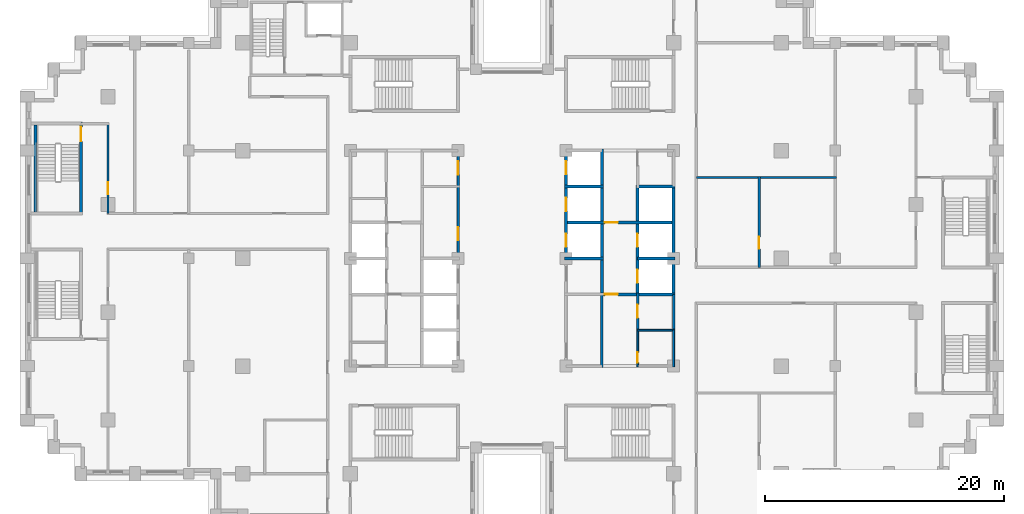
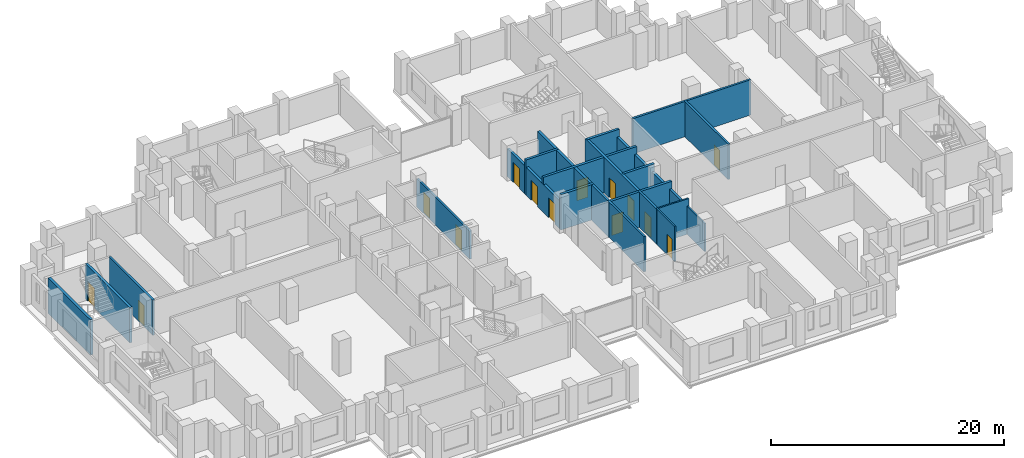
# One storey, part 9 of 16: 22 walls, 14 doors, 14 openings.
"""IFC4 building model written with IfcOpenShell, lengths in metres."""

from ifc_helpers import new_model, si_unit, direction, frame, frame_2d, origin, place, context, subcontext, project, spatial, rectangle, extrude, material, layer, layer_set, type_object, element, fill, save


model = new_model("IFC4")

# Units and contexts
model_context = context("Model", 3, precision=1e-05, world=origin(), true_north=direction((0.0, 1.0)))
body_context = subcontext(model_context, "Body", "Model", "MODEL_VIEW")
ifc_project = project(units=[si_unit("LENGTHUNIT", "METRE"), si_unit("AREAUNIT", "SQUARE_METRE"), si_unit("VOLUMEUNIT", "CUBIC_METRE"), si_unit("PLANEANGLEUNIT", "RADIAN"), si_unit("MASSUNIT", "GRAM", prefix="KILO")], contexts=[model_context])

# Site, building, storey
site_placement = place(None, origin())
site = spatial("IfcSite", under=ifc_project, at=site_placement, CompositionType="ELEMENT")
building_placement = place(site_placement, origin())
building = spatial("IfcBuilding", under=site, at=building_placement, Name="Corbelhall Arena Tower", CompositionType="ELEMENT")
storey_placement = place(building_placement, frame((0.0, 0.0, 72.0)))
storey = spatial("IfcBuildingStorey", under=building, at=storey_placement, Name="L10", CompositionType="ELEMENT", Elevation=72.0)

# Wall, opening, door
ifc_material_1 = material(Name="Gypsum board on steel stud, acoustic", Category="steel")
ifc_layer_1 = layer(ifc_material_1, 0.199951171875)
ifc_layer_set_1 = layer_set([ifc_layer_1], Name="IN-W-DM200")
wall_type_1 = type_object("IfcWallType", Name="IN-W-DM200", PredefinedType="PARTITIONING", material=ifc_layer_set_1)
wall_1_placement = place(storey_placement, frame((-33.75, 11.25, 0.0), z_axis=(0.0, 0.0, 1.0), x_axis=(0.0, -1.0, 0.0)))
wall_1 = element("IfcWall", 1, at=wall_1_placement, inside=storey, type_object=wall_type_1, Name="Partition 004", PredefinedType="PARTITIONING", context=body_context, shape_type="SweptSolid", body=[
    extrude(rectangle(XDim=7.5, YDim=0.199951171875, at=frame_2d((3.75, 0.0))), origin(), (0.0, 0.0, 1.0), 3.699951171875),
])
opening_1_placement = place(wall_1_placement, frame((4.89990234375, 0.0, 0.0)))
opening_1 = element("IfcOpeningElement", 2, at=opening_1_placement, cuts=wall_1, Name="Opening 01040", PredefinedType="OPENING", context=body_context, shape_type="SweptSolid", body=[
    extrude(rectangle(XDim=1.0, YDim=2.10009765625, at=frame_2d((0.5, 1.050048828125))), frame((0.0, 0.10009765625, 0.0), z_axis=(0.0, -1.0, 0.0), x_axis=(1.0, 0.0, 0.0)), (0.0, 0.0, 1.0), 0.199951171875),
])
ifc_material_2 = material(Name="Steel door set", Category="steel")
door_type_1 = type_object("IfcDoorType", Name="IN-D-SW100", OperationType="NOTDEFINED", PredefinedType="DOOR", material=ifc_material_2)
door_1_placement = place(opening_1_placement, origin())
door_1 = element("IfcDoor", 3, at=door_1_placement, inside=storey, type_object=door_type_1, Name="Door 040", OperationType="SINGLE_SWING_LEFT", OverallHeight=2.10009765625, OverallWidth=1.0, PredefinedType="DOOR", context=body_context, shape_type="SweptSolid", body=[
    extrude(rectangle(XDim=1.0, YDim=2.10009765625, at=frame_2d((0.5, 1.050048828125))), frame((0.0, 0.02490234375, 0.0), z_axis=(0.0, -1.0, 0.0), x_axis=(1.0, 0.0, 0.0)), (0.0, 0.0, 1.0), 0.050048828125),
])
fill(opening_1, door_1)

# Wall
wall_2_placement = place(storey_placement, frame((15.39990234375, 6.75, 0.0), z_axis=(0.0, 0.0, 1.0), x_axis=(1.0, 0.0, 0.0)))
element("IfcWall", 4, at=wall_2_placement, inside=storey, type_object=wall_type_1, Name="Partition 032", PredefinedType="PARTITIONING", context=body_context, shape_type="SweptSolid", body=[
    extrude(rectangle(XDim=11.7001953125, YDim=0.199951171875, at=frame_2d((5.85009765625, 0.0))), origin(), (0.0, 0.0, 1.0), 3.699951171875),
])

# Wall, opening, door
wall_3_placement = place(storey_placement, frame((20.64990234375, 6.85009765625, 0.0), z_axis=(0.0, 0.0, 1.0), x_axis=(0.0, -1.0, 0.0)))
wall_3 = element("IfcWall", 5, at=wall_3_placement, inside=storey, type_object=wall_type_1, Name="Partition 036", PredefinedType="PARTITIONING", context=body_context, shape_type="SweptSolid", body=[
    extrude(rectangle(XDim=7.60009765625, YDim=0.199951171875, at=frame_2d((3.800048828125, 0.0))), origin(), (0.0, 0.0, 1.0), 3.699951171875),
])
opening_2_placement = place(wall_3_placement, frame((5.050048828125, 0.0, 0.0)))
opening_2 = element("IfcOpeningElement", 6, at=opening_2_placement, cuts=wall_3, Name="Opening 01034", PredefinedType="OPENING", context=body_context, shape_type="SweptSolid", body=[
    extrude(rectangle(XDim=1.0, YDim=2.10009765625, at=frame_2d((0.5, 1.050048828125))), frame((0.0, 0.10009765625, 0.0), z_axis=(0.0, -1.0, 0.0), x_axis=(1.0, 0.0, 0.0)), (0.0, 0.0, 1.0), 0.199951171875),
])
door_2_placement = place(opening_2_placement, origin())
door_2 = element("IfcDoor", 7, at=door_2_placement, inside=storey, type_object=door_type_1, Name="Door 034", OperationType="SINGLE_SWING_LEFT", OverallHeight=2.10009765625, OverallWidth=1.0, PredefinedType="DOOR", context=body_context, shape_type="SweptSolid", body=[
    extrude(rectangle(XDim=1.0, YDim=2.10009765625, at=frame_2d((0.5, 1.050048828125))), frame((0.0, 0.02490234375, 0.0), z_axis=(0.0, -1.0, 0.0), x_axis=(1.0, 0.0, 0.0)), (0.0, 0.0, 1.0), 0.050048828125),
])
fill(opening_2, door_2)

# Wall
ifc_material_3 = material(Name="Concrete block wall", Category="concrete")
ifc_layer_2 = layer(ifc_material_3, 0.199951171875)
ifc_layer_set_2 = layer_set([ifc_layer_2], Name="IN-W-RS200")
wall_type_2 = type_object("IfcWallType", Name="IN-W-RS200", PredefinedType="SOLIDWALL", material=ifc_layer_set_2)
wall_4_placement = place(storey_placement, frame((7.5, -2.875, 0.0), z_axis=(0.0, 0.0, 1.0), x_axis=(0.0, -1.0, 0.0)))
element("IfcWall", 8, at=wall_4_placement, inside=storey, type_object=wall_type_2, Name="Partition 056", PredefinedType="SOLIDWALL", context=body_context, shape_type="SweptSolid", body=[
    extrude(rectangle(XDim=6.22509765625, YDim=0.199951171875, at=frame_2d((3.112548828125, 0.0))), origin(), (0.0, 0.0, 1.0), 3.699951171875),
])

# Wall, opening, door
wall_5_placement = place(storey_placement, frame((10.5, -2.875, 0.0), z_axis=(0.0, 0.0, 1.0), x_axis=(0.0, -1.0, 0.0)))
wall_5 = element("IfcWall", 9, at=wall_5_placement, inside=storey, type_object=wall_type_2, Name="Partition 057", PredefinedType="SOLIDWALL", context=body_context, shape_type="SweptSolid", body=[
    extrude(rectangle(XDim=3.199951171875, YDim=0.199951171875, at=frame_2d((1.60009765625, 0.0))), origin(), (0.0, 0.0, 1.0), 3.699951171875),
])
opening_3_placement = place(wall_5_placement, frame((1.0, 0.0, 0.0)))
opening_3 = element("IfcOpeningElement", 10, at=opening_3_placement, cuts=wall_5, Name="Opening 01013", PredefinedType="OPENING", context=body_context, shape_type="SweptSolid", body=[
    extrude(rectangle(XDim=1.10009765625, YDim=2.10009765625, at=frame_2d((0.550048828125, 1.050048828125))), frame((0.0, 0.10009765625, 0.0), z_axis=(0.0, -1.0, 0.0), x_axis=(1.0, 0.0, 0.0)), (0.0, 0.0, 1.0), 0.199951171875),
])
door_type_2 = type_object("IfcDoorType", Name="IN-D-FD110", OperationType="NOTDEFINED", PredefinedType="DOOR", material=ifc_material_2)
door_3_placement = place(opening_3_placement, origin())
door_3 = element("IfcDoor", 11, at=door_3_placement, inside=storey, type_object=door_type_2, Name="Door 013", OperationType="SINGLE_SWING_RIGHT", OverallHeight=2.10009765625, OverallWidth=1.10009765625, PredefinedType="DOOR", context=body_context, shape_type="SweptSolid", body=[
    extrude(rectangle(XDim=1.10009765625, YDim=2.10009765625, at=frame_2d((0.550048828125, 1.050048828125))), frame((0.0, 0.02490234375, 0.0), z_axis=(0.0, -1.0, 0.0), x_axis=(1.0, 0.0, 0.0)), (0.0, 0.0, 1.0), 0.050048828125),
])
fill(opening_3, door_3)

# Wall, openings, doors
ifc_layer_3 = layer(ifc_material_3, 0.199951171875)
ifc_layer_set_3 = layer_set([ifc_layer_3], Name="IN-W-RS200 under beam 762 mm")
wall_type_3 = type_object("IfcWallType", Name="IN-W-RS200 under beam 762 mm", PredefinedType="SOLIDWALL", material=ifc_layer_set_3)
wall_6_placement = place(storey_placement, frame((-4.5, 9.10009765625, 0.0), z_axis=(0.0, 0.0, 1.0), x_axis=(0.0, -1.0, 0.0)))
wall_6 = element("IfcWall", 12, at=wall_6_placement, inside=storey, type_object=wall_type_3, Name="Partition 052", PredefinedType="SOLIDWALL", context=body_context, shape_type="SweptSolid", body=[
    extrude(rectangle(XDim=9.10009765625, YDim=0.199951171875, at=frame_2d((4.550048828125, 0.0))), origin(), (0.0, 0.0, 1.0), 2.93798828125),
])
opening_4_placement = place(wall_6_placement, frame((6.5, 0.0, 0.0)))
opening_4 = element("IfcOpeningElement", 13, at=opening_4_placement, cuts=wall_6, Name="Opening 01001", PredefinedType="OPENING", context=body_context, shape_type="SweptSolid", body=[
    extrude(rectangle(XDim=1.10009765625, YDim=2.10009765625, at=frame_2d((0.550048828125, 1.050048828125))), frame((0.0, 0.10009765625, 0.0), z_axis=(0.0, -1.0, 0.0), x_axis=(1.0, 0.0, 0.0)), (0.0, 0.0, 1.0), 0.199951171875),
])
opening_5_placement = place(wall_6_placement, frame((1.0, 0.0, 0.0)))
opening_5 = element("IfcOpeningElement", 14, at=opening_5_placement, cuts=wall_6, Name="Opening 01002", PredefinedType="OPENING", context=body_context, shape_type="SweptSolid", body=[
    extrude(rectangle(XDim=1.10009765625, YDim=2.10009765625, at=frame_2d((0.550048828125, 1.050048828125))), frame((0.0, 0.10009765625, 0.0), z_axis=(0.0, -1.0, 0.0), x_axis=(1.0, 0.0, 0.0)), (0.0, 0.0, 1.0), 0.199951171875),
])
door_4_placement = place(opening_4_placement, origin())
door_4 = element("IfcDoor", 15, at=door_4_placement, inside=storey, type_object=door_type_2, Name="Door 001", OperationType="SINGLE_SWING_RIGHT", OverallHeight=2.10009765625, OverallWidth=1.10009765625, PredefinedType="DOOR", context=body_context, shape_type="SweptSolid", body=[
    extrude(rectangle(XDim=1.10009765625, YDim=2.10009765625, at=frame_2d((0.550048828125, 1.050048828125))), frame((0.0, 0.02490234375, 0.0), z_axis=(0.0, -1.0, 0.0), x_axis=(1.0, 0.0, 0.0)), (0.0, 0.0, 1.0), 0.050048828125),
])
fill(opening_4, door_4)
door_5_placement = place(opening_5_placement, origin())
door_5 = element("IfcDoor", 16, at=door_5_placement, inside=storey, type_object=door_type_2, Name="Door 002", OperationType="SINGLE_SWING_LEFT", OverallHeight=2.10009765625, OverallWidth=1.10009765625, PredefinedType="DOOR", context=body_context, shape_type="SweptSolid", body=[
    extrude(rectangle(XDim=1.10009765625, YDim=2.10009765625, at=frame_2d((0.550048828125, 1.050048828125))), frame((0.0, 0.02490234375, 0.0), z_axis=(0.0, -1.0, 0.0), x_axis=(1.0, 0.0, 0.0)), (0.0, 0.0, 1.0), 0.050048828125),
])
fill(opening_5, door_5)

# Walls
wall_7_placement = place(storey_placement, frame((13.5, -3.0, 0.0), z_axis=(0.0, 0.0, 1.0), x_axis=(0.0, -1.0, 0.0)))
element("IfcWall", 17, at=wall_7_placement, inside=storey, type_object=wall_type_3, Name="Partition 060", PredefinedType="SOLIDWALL", context=body_context, shape_type="SweptSolid", body=[
    extrude(rectangle(XDim=3.0, YDim=0.199951171875, at=frame_2d((1.5, 0.0))), origin(), (0.0, 0.0, 1.0), 2.93798828125),
])
ifc_material_4 = material(Name="Concrete C40/50", Category="concrete")
ifc_layer_4 = layer(ifc_material_4, 0.25)
ifc_layer_set_4 = layer_set([ifc_layer_4], Name="IN-W-SH250")
wall_type_4 = type_object("IfcWallType", Name="IN-W-SH250", PredefinedType="SOLIDWALL", material=ifc_layer_set_4)
wall_8_placement = place(storey_placement, frame((4.375, 0.0, 0.0), z_axis=(0.0, 0.0, 1.0), x_axis=(1.0, 0.0, 0.0)))
element("IfcWall", 18, at=wall_8_placement, inside=storey, type_object=wall_type_4, Name="Shaft wall 072", PredefinedType="SOLIDWALL", context=body_context, shape_type="SweptSolid", body=[
    extrude(rectangle(XDim=3.25, YDim=0.25, at=frame_2d((1.625, 0.0))), origin(), (0.0, 0.0, 1.0), 3.699951171875),
])

# Wall, opening, door
wall_9_placement = place(storey_placement, frame((4.375, 3.0, 0.0), z_axis=(0.0, 0.0, 1.0), x_axis=(1.0, 0.0, 0.0)))
wall_9 = element("IfcWall", 19, at=wall_9_placement, inside=storey, type_object=wall_type_4, Name="Shaft wall 073", PredefinedType="SOLIDWALL", context=body_context, shape_type="SweptSolid", body=[
    extrude(rectangle(XDim=9.25, YDim=0.25, at=frame_2d((4.625, 0.0))), origin(), (0.0, 0.0, 1.0), 3.699951171875),
])
opening_6_placement = place(wall_9_placement, frame((3.375, 0.0, 0.0)))
opening_6 = element("IfcOpeningElement", 20, at=opening_6_placement, cuts=wall_9, Name="Opening 01011", PredefinedType="OPENING", context=body_context, shape_type="SweptSolid", body=[
    extrude(rectangle(XDim=1.10009765625, YDim=2.10009765625, at=frame_2d((0.550048828125, 1.050048828125))), frame((0.0, 0.125, 0.0), z_axis=(0.0, -1.0, 0.0), x_axis=(1.0, 0.0, 0.0)), (0.0, 0.0, 1.0), 0.25),
])
door_6_placement = place(opening_6_placement, origin())
door_6 = element("IfcDoor", 21, at=door_6_placement, inside=storey, type_object=door_type_2, Name="Door 011", OperationType="SINGLE_SWING_RIGHT", OverallHeight=2.10009765625, OverallWidth=1.10009765625, PredefinedType="DOOR", context=body_context, shape_type="SweptSolid", body=[
    extrude(rectangle(XDim=1.10009765625, YDim=2.10009765625, at=frame_2d((0.550048828125, 1.050048828125))), frame((0.0, 0.02490234375, 0.0), z_axis=(0.0, -1.0, 0.0), x_axis=(1.0, 0.0, 0.0)), (0.0, 0.0, 1.0), 0.050048828125),
])
fill(opening_6, door_6)

# Wall
wall_10_placement = place(storey_placement, frame((4.375, 6.0, 0.0), z_axis=(0.0, 0.0, 1.0), x_axis=(1.0, 0.0, 0.0)))
element("IfcWall", 22, at=wall_10_placement, inside=storey, type_object=wall_type_4, Name="Shaft wall 074", PredefinedType="SOLIDWALL", context=body_context, shape_type="SweptSolid", body=[
    extrude(rectangle(XDim=3.25, YDim=0.25, at=frame_2d((1.625, 0.0))), origin(), (0.0, 0.0, 1.0), 3.699951171875),
])

# Wall, opening, door
wall_11_placement = place(storey_placement, frame((7.5, -3.0, 0.0), z_axis=(0.0, 0.0, 1.0), x_axis=(1.0, 0.0, 0.0)))
wall_11 = element("IfcWall", 23, at=wall_11_placement, inside=storey, type_object=wall_type_4, Name="Shaft wall 077", PredefinedType="SOLIDWALL", context=body_context, shape_type="SweptSolid", body=[
    extrude(rectangle(XDim=6.125, YDim=0.25, at=frame_2d((3.0625, 0.0))), origin(), (0.0, 0.0, 1.0), 3.699951171875),
])
opening_7_placement = place(wall_11_placement, frame((0.25, 0.0, 0.0)))
opening_7 = element("IfcOpeningElement", 24, at=opening_7_placement, cuts=wall_11, Name="Opening 01010", PredefinedType="OPENING", context=body_context, shape_type="SweptSolid", body=[
    extrude(rectangle(XDim=1.10009765625, YDim=2.10009765625, at=frame_2d((0.550048828125, 1.050048828125))), frame((0.0, 0.125, 0.0), z_axis=(0.0, -1.0, 0.0), x_axis=(1.0, 0.0, 0.0)), (0.0, 0.0, 1.0), 0.25),
])
door_7_placement = place(opening_7_placement, origin())
door_7 = element("IfcDoor", 25, at=door_7_placement, inside=storey, type_object=door_type_2, Name="Door 010", OperationType="SINGLE_SWING_LEFT", OverallHeight=2.10009765625, OverallWidth=1.10009765625, PredefinedType="DOOR", context=body_context, shape_type="SweptSolid", body=[
    extrude(rectangle(XDim=1.10009765625, YDim=2.10009765625, at=frame_2d((0.550048828125, 1.050048828125))), frame((0.0, 0.02490234375, 0.0), z_axis=(0.0, -1.0, 0.0), x_axis=(1.0, 0.0, 0.0)), (0.0, 0.0, 1.0), 0.050048828125),
])
fill(opening_7, door_7)

# Walls
wall_12_placement = place(storey_placement, frame((7.5, 9.125, 0.0), z_axis=(0.0, 0.0, 1.0), x_axis=(0.0, -1.0, 0.0)))
element("IfcWall", 26, at=wall_12_placement, inside=storey, type_object=wall_type_4, Name="Shaft wall 078", PredefinedType="SOLIDWALL", context=body_context, shape_type="SweptSolid", body=[
    extrude(rectangle(XDim=12.25, YDim=0.25, at=frame_2d((6.125, 0.0))), origin(), (0.0, 0.0, 1.0), 3.699951171875),
])
wall_13_placement = place(storey_placement, frame((10.5, 0.0, 0.0), z_axis=(0.0, 0.0, 1.0), x_axis=(1.0, 0.0, 0.0)))
element("IfcWall", 27, at=wall_13_placement, inside=storey, type_object=wall_type_4, Name="Shaft wall 079", PredefinedType="SOLIDWALL", context=body_context, shape_type="SweptSolid", body=[
    extrude(rectangle(XDim=3.125, YDim=0.25, at=frame_2d((1.5625, 0.0))), origin(), (0.0, 0.0, 1.0), 3.699951171875),
])

# Wall, openings, doors
wall_14_placement = place(storey_placement, frame((10.5, 6.125, 0.0), z_axis=(0.0, 0.0, 1.0), x_axis=(0.0, -1.0, 0.0)))
wall_14 = element("IfcWall", 28, at=wall_14_placement, inside=storey, type_object=wall_type_4, Name="Shaft wall 080", PredefinedType="SOLIDWALL", context=body_context, shape_type="SweptSolid", body=[
    extrude(rectangle(XDim=9.25, YDim=0.25, at=frame_2d((4.625, 0.0))), origin(), (0.0, 0.0, 1.0), 3.699951171875),
])
opening_8_placement = place(wall_14_placement, frame((7.074951171875, 0.0, 0.0)))
opening_8 = element("IfcOpeningElement", 29, at=opening_8_placement, cuts=wall_14, Name="Opening LD", PredefinedType="OPENING", context=body_context, shape_type="SweptSolid", body=[
    extrude(rectangle(XDim=1.10009765625, YDim=2.10009765625, at=frame_2d((0.550048828125, 1.050048828125))), frame((0.0, 0.125, 0.0), z_axis=(0.0, -1.0, 0.0), x_axis=(1.0, 0.0, 0.0)), (0.0, 0.0, 1.0), 0.25),
])
opening_9_placement = place(wall_14_placement, frame((4.074951171875, 0.0, 0.0)))
opening_9 = element("IfcOpeningElement", 30, at=opening_9_placement, cuts=wall_14, Name="Opening LD", PredefinedType="OPENING", context=body_context, shape_type="SweptSolid", body=[
    extrude(rectangle(XDim=1.10009765625, YDim=2.10009765625, at=frame_2d((0.550048828125, 1.050048828125))), frame((0.0, 0.125, 0.0), z_axis=(0.0, -1.0, 0.0), x_axis=(1.0, 0.0, 0.0)), (0.0, 0.0, 1.0), 0.25),
])
door_type_3 = type_object("IfcDoorType", Name="IN-D-LD110", OperationType="NOTDEFINED", PredefinedType="DOOR", material=ifc_material_2)
door_8_placement = place(opening_8_placement, origin())
door_8 = element("IfcDoor", 31, at=door_8_placement, inside=storey, type_object=door_type_3, Name="Landing door E3", OperationType="SLIDING_TO_LEFT", OverallHeight=2.10009765625, OverallWidth=1.10009765625, PredefinedType="DOOR", context=body_context, shape_type="SweptSolid", body=[
    extrude(rectangle(XDim=1.10009765625, YDim=2.10009765625, at=frame_2d((0.550048828125, 1.050048828125))), frame((0.0, 0.02490234375, 0.0), z_axis=(0.0, -1.0, 0.0), x_axis=(1.0, 0.0, 0.0)), (0.0, 0.0, 1.0), 0.050048828125),
])
fill(opening_8, door_8)
door_9_placement = place(opening_9_placement, origin())
door_9 = element("IfcDoor", 32, at=door_9_placement, inside=storey, type_object=door_type_3, Name="Landing door E4", OperationType="SLIDING_TO_LEFT", OverallHeight=2.10009765625, OverallWidth=1.10009765625, PredefinedType="DOOR", context=body_context, shape_type="SweptSolid", body=[
    extrude(rectangle(XDim=1.10009765625, YDim=2.10009765625, at=frame_2d((0.550048828125, 1.050048828125))), frame((0.0, 0.02490234375, 0.0), z_axis=(0.0, -1.0, 0.0), x_axis=(1.0, 0.0, 0.0)), (0.0, 0.0, 1.0), 0.050048828125),
])
fill(opening_9, door_9)

# Wall
wall_15_placement = place(storey_placement, frame((10.5, 6.0, 0.0), z_axis=(0.0, 0.0, 1.0), x_axis=(1.0, 0.0, 0.0)))
element("IfcWall", 33, at=wall_15_placement, inside=storey, type_object=wall_type_4, Name="Shaft wall 081", PredefinedType="SOLIDWALL", context=body_context, shape_type="SweptSolid", body=[
    extrude(rectangle(XDim=3.125, YDim=0.25, at=frame_2d((1.5625, 0.0))), origin(), (0.0, 0.0, 1.0), 3.699951171875),
])

# Wall, openings, doors
ifc_layer_5 = layer(ifc_material_4, 0.25)
ifc_layer_set_5 = layer_set([ifc_layer_5], Name="IN-W-SH250 under beam 762 mm")
wall_type_5 = type_object("IfcWallType", Name="IN-W-SH250 under beam 762 mm", PredefinedType="SOLIDWALL", material=ifc_layer_set_5)
wall_16_placement = place(storey_placement, frame((4.5, 0.0, 0.0), z_axis=(0.0, 0.0, 1.0), x_axis=(0.0, 1.0, 0.0)))
wall_16 = element("IfcWall", 34, at=wall_16_placement, inside=storey, type_object=wall_type_5, Name="Shaft wall 075", PredefinedType="SOLIDWALL", context=body_context, shape_type="SweptSolid", body=[
    extrude(rectangle(XDim=9.125, YDim=0.25, at=frame_2d((4.5625, 0.0))), origin(), (0.0, 0.0, 1.0), 2.93798828125),
])
opening_10_placement = place(wall_16_placement, frame((0.949951171875, 0.0, 0.0)))
opening_10 = element("IfcOpeningElement", 35, at=opening_10_placement, cuts=wall_16, Name="Opening LD", PredefinedType="OPENING", context=body_context, shape_type="SweptSolid", body=[
    extrude(rectangle(XDim=1.10009765625, YDim=2.10009765625, at=frame_2d((0.550048828125, 1.050048828125))), frame((0.0, 0.125, 0.0), z_axis=(0.0, -1.0, 0.0), x_axis=(1.0, 0.0, 0.0)), (0.0, 0.0, 1.0), 0.25),
])
opening_11_placement = place(wall_16_placement, frame((3.949951171875, 0.0, 0.0)))
opening_11 = element("IfcOpeningElement", 36, at=opening_11_placement, cuts=wall_16, Name="Opening LD", PredefinedType="OPENING", context=body_context, shape_type="SweptSolid", body=[
    extrude(rectangle(XDim=1.10009765625, YDim=2.10009765625, at=frame_2d((0.550048828125, 1.050048828125))), frame((0.0, 0.125, 0.0), z_axis=(0.0, -1.0, 0.0), x_axis=(1.0, 0.0, 0.0)), (0.0, 0.0, 1.0), 0.25),
])
opening_12_placement = place(wall_16_placement, frame((7.012451171875, 0.0, 0.0)))
opening_12 = element("IfcOpeningElement", 37, at=opening_12_placement, cuts=wall_16, Name="Opening LD", PredefinedType="OPENING", context=body_context, shape_type="SweptSolid", body=[
    extrude(rectangle(XDim=1.10009765625, YDim=2.10009765625, at=frame_2d((0.550048828125, 1.050048828125))), frame((0.0, 0.125, 0.0), z_axis=(0.0, -1.0, 0.0), x_axis=(1.0, 0.0, 0.0)), (0.0, 0.0, 1.0), 0.25),
])
door_10_placement = place(opening_10_placement, origin())
door_10 = element("IfcDoor", 38, at=door_10_placement, inside=storey, type_object=door_type_3, Name="Landing door E4", OperationType="SLIDING_TO_LEFT", OverallHeight=2.10009765625, OverallWidth=1.10009765625, PredefinedType="DOOR", context=body_context, shape_type="SweptSolid", body=[
    extrude(rectangle(XDim=1.10009765625, YDim=2.10009765625, at=frame_2d((0.550048828125, 1.050048828125))), frame((0.0, 0.02490234375, 0.0), z_axis=(0.0, -1.0, 0.0), x_axis=(1.0, 0.0, 0.0)), (0.0, 0.0, 1.0), 0.050048828125),
])
fill(opening_10, door_10)
door_11_placement = place(opening_11_placement, origin())
door_11 = element("IfcDoor", 39, at=door_11_placement, inside=storey, type_object=door_type_3, Name="Landing door E5", OperationType="SLIDING_TO_LEFT", OverallHeight=2.10009765625, OverallWidth=1.10009765625, PredefinedType="DOOR", context=body_context, shape_type="SweptSolid", body=[
    extrude(rectangle(XDim=1.10009765625, YDim=2.10009765625, at=frame_2d((0.550048828125, 1.050048828125))), frame((0.0, 0.02490234375, 0.0), z_axis=(0.0, -1.0, 0.0), x_axis=(1.0, 0.0, 0.0)), (0.0, 0.0, 1.0), 0.050048828125),
])
fill(opening_11, door_11)
door_12_placement = place(opening_12_placement, origin())
door_12 = element("IfcDoor", 40, at=door_12_placement, inside=storey, type_object=door_type_3, Name="Landing door E6", OperationType="SLIDING_TO_LEFT", OverallHeight=2.10009765625, OverallWidth=1.10009765625, PredefinedType="DOOR", context=body_context, shape_type="SweptSolid", body=[
    extrude(rectangle(XDim=1.10009765625, YDim=2.10009765625, at=frame_2d((0.550048828125, 1.050048828125))), frame((0.0, 0.02490234375, 0.0), z_axis=(0.0, -1.0, 0.0), x_axis=(1.0, 0.0, 0.0)), (0.0, 0.0, 1.0), 0.050048828125),
])
fill(opening_12, door_12)

# Wall
wall_17_placement = place(storey_placement, frame((13.5, 6.0, 0.0), z_axis=(0.0, 0.0, 1.0), x_axis=(0.0, -1.0, 0.0)))
element("IfcWall", 41, at=wall_17_placement, inside=storey, type_object=wall_type_5, Name="Shaft wall 082", PredefinedType="SOLIDWALL", context=body_context, shape_type="SweptSolid", body=[
    extrude(rectangle(XDim=9.0, YDim=0.25, at=frame_2d((4.5, 0.0))), origin(), (0.0, 0.0, 1.0), 2.93798828125),
])

# Wall, opening, door
ifc_layer_6 = layer(ifc_material_4, 0.25)
ifc_layer_set_6 = layer_set([ifc_layer_6], Name="IN-W-ST250")
wall_type_6 = type_object("IfcWallType", Name="IN-W-ST250", PredefinedType="SOLIDWALL", material=ifc_layer_set_6)
wall_18_placement = place(storey_placement, frame((-36.0, 11.375, 0.0), z_axis=(0.0, 0.0, 1.0), x_axis=(0.0, -1.0, 0.0)))
wall_18 = element("IfcWall", 42, at=wall_18_placement, inside=storey, type_object=wall_type_6, Name="Shaft wall 087", PredefinedType="SOLIDWALL", context=body_context, shape_type="SweptSolid", body=[
    extrude(rectangle(XDim=7.625, YDim=0.25, at=frame_2d((3.8125, 0.0))), origin(), (0.0, 0.0, 1.0), 3.699951171875),
])
opening_13_placement = place(wall_18_placement, frame((0.39990234375, 0.0, 0.0)))
opening_13 = element("IfcOpeningElement", 43, at=opening_13_placement, cuts=wall_18, Name="Opening 01019", PredefinedType="OPENING", context=body_context, shape_type="SweptSolid", body=[
    extrude(rectangle(XDim=1.199951171875, YDim=2.10009765625, at=frame_2d((0.60009765625, 1.050048828125))), frame((0.0, 0.125, 0.0), z_axis=(0.0, -1.0, 0.0), x_axis=(1.0, 0.0, 0.0)), (0.0, 0.0, 1.0), 0.25),
])
door_type_4 = type_object("IfcDoorType", Name="IN-D-ST120", OperationType="NOTDEFINED", PredefinedType="DOOR", material=ifc_material_2)
door_13_placement = place(opening_13_placement, origin())
door_13 = element("IfcDoor", 44, at=door_13_placement, inside=storey, type_object=door_type_4, Name="Door 019", OperationType="SINGLE_SWING_RIGHT", OverallHeight=2.10009765625, OverallWidth=1.199951171875, PredefinedType="DOOR", context=body_context, shape_type="SweptSolid", body=[
    extrude(rectangle(XDim=1.199951171875, YDim=2.10009765625, at=frame_2d((0.60009765625, 1.050048828125))), frame((0.0, 0.02490234375, 0.0), z_axis=(0.0, -1.0, 0.0), x_axis=(1.0, 0.0, 0.0)), (0.0, 0.0, 1.0), 0.050048828125),
])
fill(opening_13, door_13)

# Walls
wall_19_placement = place(storey_placement, frame((-39.824951171875, 3.875, 0.0), z_axis=(0.0, 0.0, 1.0), x_axis=(0.0, 1.0, 0.0)))
element("IfcWall", 45, at=wall_19_placement, inside=storey, type_object=wall_type_6, Name="Shaft wall SC1 facade side", PredefinedType="SOLIDWALL", context=body_context, shape_type="SweptSolid", body=[
    extrude(rectangle(XDim=7.25, YDim=0.25, at=frame_2d((3.625, 0.0))), origin(), (0.0, 0.0, 1.0), 3.699951171875),
])
ifc_material_5 = material(Name="Gypsum board on steel stud, moisture resistant", Category="steel")
ifc_layer_7 = layer(ifc_material_5, 0.14990234375)
ifc_layer_set_7 = layer_set([ifc_layer_7], Name="IN-W-WC150")
wall_type_7 = type_object("IfcWallType", Name="IN-W-WC150", PredefinedType="PARTITIONING", material=ifc_layer_set_7)
wall_20_placement = place(storey_placement, frame((10.5, -6.0, 0.0), z_axis=(0.0, 0.0, 1.0), x_axis=(1.0, 0.0, 0.0)))
element("IfcWall", 46, at=wall_20_placement, inside=storey, type_object=wall_type_7, Name="Partition 118", PredefinedType="PARTITIONING", context=body_context, shape_type="SweptSolid", body=[
    extrude(rectangle(XDim=3.10009765625, YDim=0.14990234375, at=frame_2d((1.550048828125, 0.0))), origin(), (0.0, 0.0, 1.0), 3.699951171875),
])

# Wall, opening, door
wall_21_placement = place(storey_placement, frame((10.5, -5.925048828125, 0.0), z_axis=(0.0, 0.0, 1.0), x_axis=(0.0, -1.0, 0.0)))
wall_21 = element("IfcWall", 47, at=wall_21_placement, inside=storey, type_object=wall_type_7, Name="Partition 119", PredefinedType="PARTITIONING", context=body_context, shape_type="SweptSolid", body=[
    extrude(rectangle(XDim=3.14990234375, YDim=0.14990234375, at=frame_2d((1.574951171875, 0.0))), origin(), (0.0, 0.0, 1.0), 3.699951171875),
])
opening_14_placement = place(wall_21_placement, frame((1.89990234375, 0.0, 0.0)))
opening_14 = element("IfcOpeningElement", 48, at=opening_14_placement, cuts=wall_21, Name="Opening 01012", PredefinedType="OPENING", context=body_context, shape_type="SweptSolid", body=[
    extrude(rectangle(XDim=0.89990234375, YDim=2.10009765625, at=frame_2d((0.449951171875, 1.050048828125))), frame((0.0, 0.074951171875, 0.0), z_axis=(0.0, -1.0, 0.0), x_axis=(1.0, 0.0, 0.0)), (0.0, 0.0, 1.0), 0.14990234375),
])
ifc_material_6 = material(Name="Timber door set", Category="wood")
door_type_5 = type_object("IfcDoorType", Name="IN-D-SW90", OperationType="NOTDEFINED", PredefinedType="DOOR", material=ifc_material_6)
door_14_placement = place(opening_14_placement, origin())
door_14 = element("IfcDoor", 49, at=door_14_placement, inside=storey, type_object=door_type_5, Name="Door 012", OperationType="SINGLE_SWING_LEFT", OverallHeight=2.10009765625, OverallWidth=0.89990234375, PredefinedType="DOOR", context=body_context, shape_type="SweptSolid", body=[
    extrude(rectangle(XDim=0.89990234375, YDim=2.10009765625, at=frame_2d((0.449951171875, 1.050048828125))), frame((0.0, 0.02490234375, 0.0), z_axis=(0.0, -1.0, 0.0), x_axis=(1.0, 0.0, 0.0)), (0.0, 0.0, 1.0), 0.050048828125),
])
fill(opening_14, door_14)

# Wall
ifc_layer_8 = layer(ifc_material_5, 0.14990234375)
ifc_layer_set_8 = layer_set([ifc_layer_8], Name="IN-W-WC150 under beam 762 mm")
wall_type_8 = type_object("IfcWallType", Name="IN-W-WC150 under beam 762 mm", PredefinedType="PARTITIONING", material=ifc_layer_set_8)
wall_22_placement = place(storey_placement, frame((13.5, -6.0, 0.0), z_axis=(0.0, 0.0, 1.0), x_axis=(0.0, -1.0, 0.0)))
element("IfcWall", 50, at=wall_22_placement, inside=storey, type_object=wall_type_8, Name="Partition 121", PredefinedType="PARTITIONING", context=body_context, shape_type="SweptSolid", body=[
    extrude(rectangle(XDim=3.074951171875, YDim=0.14990234375, at=frame_2d((1.53759765625, 0.0))), origin(), (0.0, 0.0, 1.0), 2.93798828125),
])

save(model, "model.ifc")
